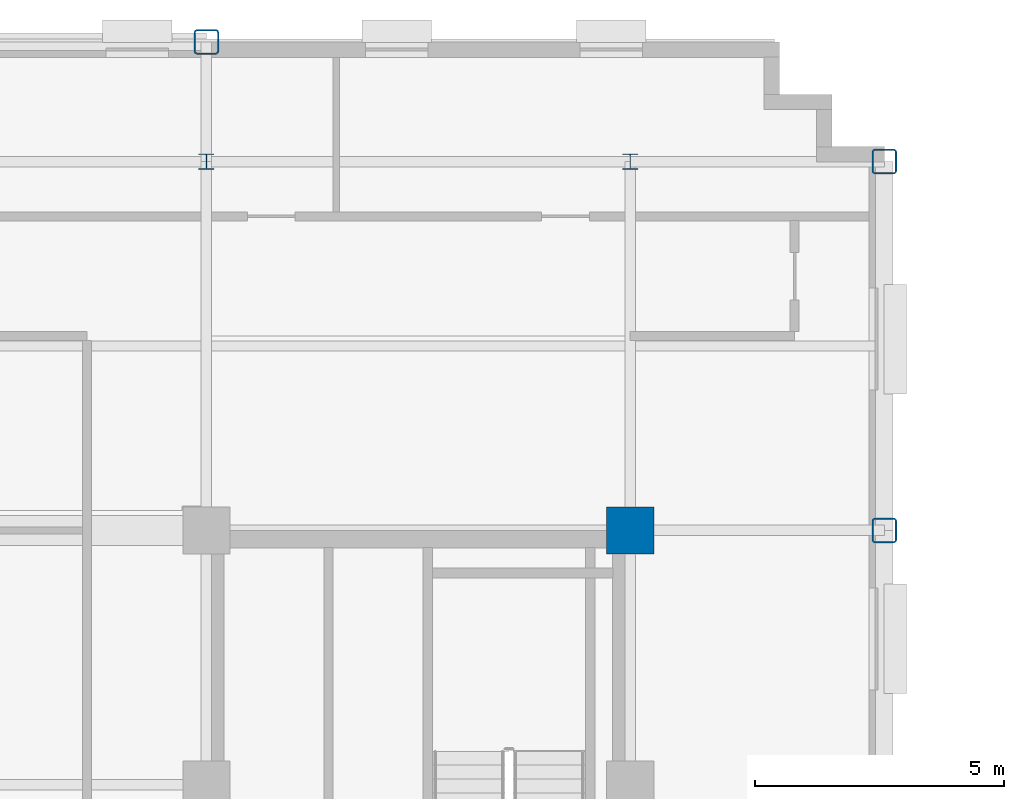
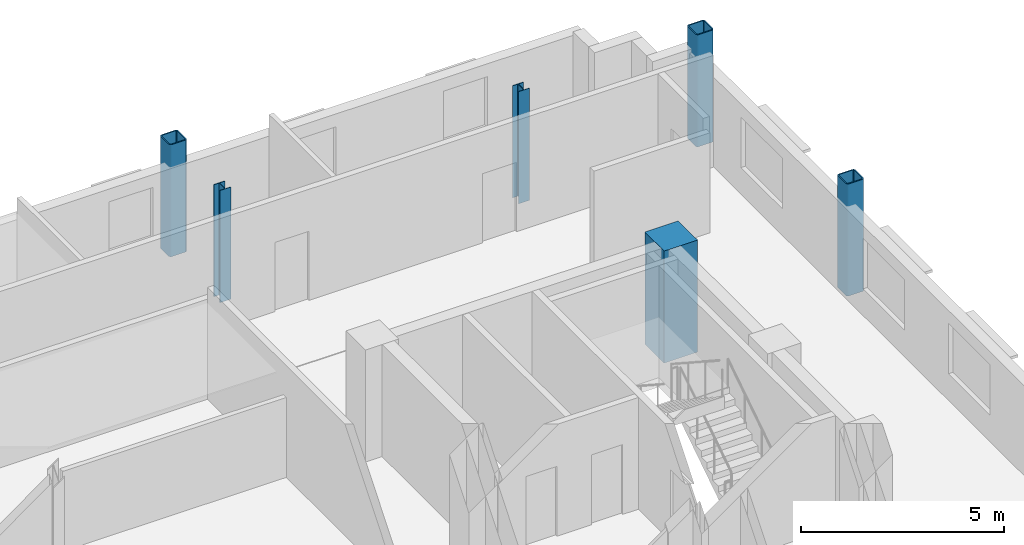
# One storey, part 4 of 15: 6 columns.
"""IFC4 building model written with IfcOpenShell, lengths in metres."""

from ifc_helpers import new_model, si_unit, direction, frame, origin, origin_2d, place, context, subcontext, project, spatial, rectangle, hollow_rectangle, i_section, extrude, material, material_profile, profile_set, type_object, element, save


model = new_model("IFC4")

# Units and contexts
model_context = context("Model", 3, precision=1e-05, world=origin(), true_north=direction((0.0, 1.0)))
body_context = subcontext(model_context, "Body", "Model", "MODEL_VIEW")
ifc_project = project(units=[si_unit("LENGTHUNIT", "METRE"), si_unit("AREAUNIT", "SQUARE_METRE"), si_unit("VOLUMEUNIT", "CUBIC_METRE"), si_unit("PLANEANGLEUNIT", "RADIAN"), si_unit("MASSUNIT", "GRAM", prefix="KILO")], contexts=[model_context])

# Site, building, storey
site_placement = place(None, origin())
site = spatial("IfcSite", under=ifc_project, at=site_placement, CompositionType="ELEMENT")
building_placement = place(site_placement, origin())
building = spatial("IfcBuilding", under=site, at=building_placement, Name="Nuvemarco Arch Tower", CompositionType="ELEMENT")
storey_placement = place(building_placement, frame((0.0, 0.0, 201.85009765625)))
storey = spatial("IfcBuildingStorey", under=building, at=storey_placement, Name="L53", CompositionType="ELEMENT", Elevation=201.85009765625)

# Columns
ifc_material_1 = material(Name="Concrete C50/60", Category="concrete")
ifc_material_profile_1 = material_profile(ifc_material_1, rectangle(XDim=0.949951171875, YDim=0.949951171875, at=origin_2d()), Name="RC-COL-950x950")
ifc_profile_set_1 = profile_set([ifc_material_profile_1], Name="Concrete C50/60")
column_type_1 = type_object("IfcColumnType", Name="COL-CORE-950", PredefinedType="COLUMN", material=ifc_profile_set_1)
column_placement = place(storey_placement, frame((17.5, 9.60009765625, 0.0), z_axis=(0.0, 0.0, 1.0), x_axis=(1.0, 0.0, 0.0)))
element("IfcColumn", 1, at=column_placement, inside=storey, type_object=column_type_1, Name="L53 column CC_+17.5_+9.6", PredefinedType="COLUMN", context=body_context, shape_type="SweptSolid", body=[
    extrude(rectangle(XDim=0.949951171875, YDim=0.949951171875, at=origin_2d()), origin(), (0.0, 0.0, 1.0), 3.369873046875),
])
ifc_material_2 = material(Name="Steel S355", Category="steel")
ifc_material_profile_2 = material_profile(ifc_material_2, hollow_rectangle(XDim=0.5, YDim=0.5, WallThickness=0.031982421875, InnerFilletRadius=0.031982421875, OuterFilletRadius=0.06396484375, at=origin_2d()), Name="SHS500x500x32")
ifc_profile_set_2 = profile_set([ifc_material_profile_2], Name="Steel S355")
column_type_2 = type_object("IfcColumnType", Name="COL-EXO-500", PredefinedType="COLUMN", material=ifc_profile_set_2)
for number, where, z_axis, x_axis, name in (
    (2, (22.60009765625, 9.60009765625, 0.0), (0.0, 0.0, 1.0), (1.0, 0.0, 0.0), "L53 column CX_+22.6_+9.6"),
    (3, (22.60009765625, 17.0, 0.0), (0.0, 0.0, 1.0), (1.0, 0.0, 0.0), "L53 column CX_+22.6_+17.0"),
    (4, (9.0, 19.39990234375, 0.0), (0.0, 0.0, 1.0), (1.0, 0.0, 0.0), "L53 column CY_+9.0_+19.4"),
):
    element("IfcColumn", number, at=place(storey_placement, frame(where, z_axis=z_axis, x_axis=x_axis)), inside=storey, type_object=column_type_2, Name=name, PredefinedType="COLUMN", context=body_context, shape_type="SweptSolid", body=[
        extrude(hollow_rectangle(XDim=0.5, YDim=0.5, WallThickness=0.031982421875, InnerFilletRadius=0.031982421875, OuterFilletRadius=0.06396484375, at=origin_2d()), origin(), (0.0, 0.0, 1.0), 3.369873046875),
    ])
ifc_material_profile_3 = material_profile(ifc_material_2, i_section(OverallWidth=0.31005859375, OverallDepth=0.31005859375, WebThickness=0.015380859375, FlangeThickness=0.015380859375, FilletRadius=0.014892578125, at=origin_2d()), Name="HP310x110")
ifc_profile_set_3 = profile_set([ifc_material_profile_3], Name="Steel S355")
column_type_3 = type_object("IfcColumnType", Name="COL-STL-HP310", PredefinedType="COLUMN", material=ifc_profile_set_3)
for number, where, z_axis, x_axis, name in (
    (5, (9.0, 17.0, 0.0), (0.0, 0.0, 1.0), (1.0, 0.0, 0.0), "L53 column CI_+9.0_+17.0"),
    (6, (17.5, 17.0, 0.0), (0.0, 0.0, 1.0), (1.0, 0.0, 0.0), "L53 column CI_+17.5_+17.0"),
):
    element("IfcColumn", number, at=place(storey_placement, frame(where, z_axis=z_axis, x_axis=x_axis)), inside=storey, type_object=column_type_3, Name=name, PredefinedType="COLUMN", context=body_context, shape_type="SweptSolid", body=[
        extrude(i_section(OverallWidth=0.31005859375, OverallDepth=0.31005859375, WebThickness=0.015380859375, FlangeThickness=0.015380859375, FilletRadius=0.014892578125, at=origin_2d()), origin(), (0.0, 0.0, 1.0), 3.369873046875),
    ])

save(model, "model.ifc")
